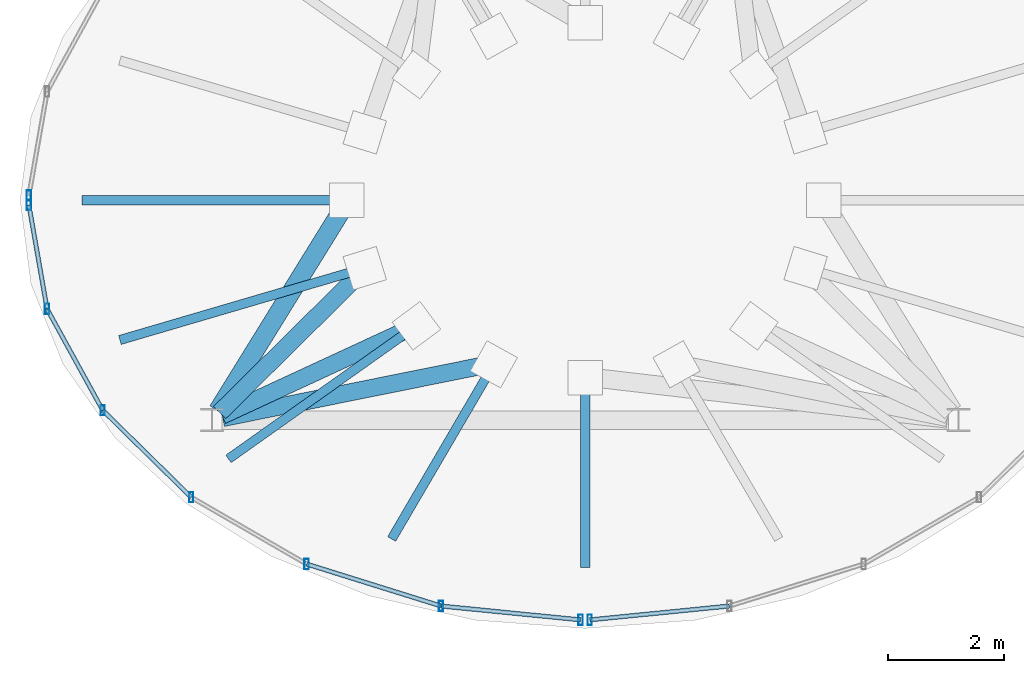
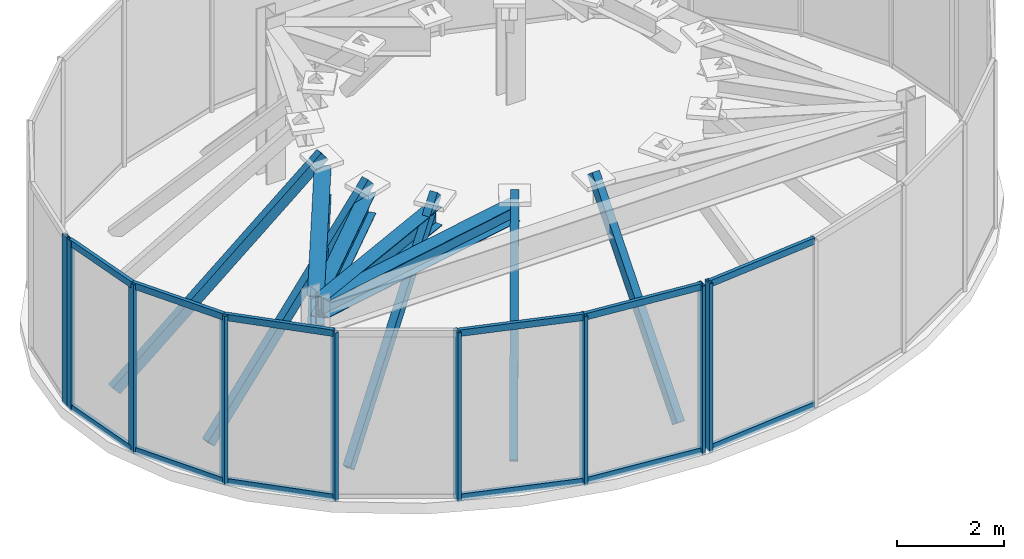
# One storey, part 2 of 8: 26 members, 4 beams, 3 elements without a shape of their own.
"""IFC4 building model written with IfcOpenShell, lengths in metres."""

from ifc_helpers import new_model, si_unit, direction, frame, origin, origin_2d, place, context, subcontext, project, spatial, hollow_rectangle, i_section, extrude, material, material_profile, profile_set, type_object, element, aggregate, save


model = new_model("IFC4")

# Units and contexts
model_context = context("Model", 3, precision=1e-05, world=origin(), true_north=direction((0.0, 1.0)))
body_context = subcontext(model_context, "Body", "Model", "MODEL_VIEW")
ifc_project = project(units=[si_unit("LENGTHUNIT", "METRE"), si_unit("AREAUNIT", "SQUARE_METRE"), si_unit("VOLUMEUNIT", "CUBIC_METRE"), si_unit("PLANEANGLEUNIT", "RADIAN"), si_unit("MASSUNIT", "GRAM", prefix="KILO")], contexts=[model_context])

# Site, building, storey
site_placement = place(None, origin())
site = spatial("IfcSite", under=ifc_project, at=site_placement, CompositionType="ELEMENT")
building_placement = place(site_placement, origin())
building = spatial("IfcBuilding", under=site, at=building_placement, Name="Vorneva Point Tower", CompositionType="ELEMENT")
storey_placement = place(building_placement, frame((0.0, 0.0, 310.60009765625)))
storey = spatial("IfcBuildingStorey", under=building, at=storey_placement, Name="C05", CompositionType="ELEMENT", Elevation=310.60009765625)

# Beams
ifc_material_1 = material(Name="Steel S355", Category="steel")
ifc_material_profile_1 = material_profile(ifc_material_1, i_section(OverallWidth=0.299072265625, OverallDepth=0.383056640625, WebThickness=0.009521484375, FlangeThickness=0.012451171875, at=origin_2d()), Name="40Sh1")
ifc_profile_set_1 = profile_set([ifc_material_profile_1], Name="Steel S355")
beam_type_1 = type_object("IfcBeamType", Name="BM-GRD-40Sh1", PredefinedType="USERDEFINED", material=ifc_profile_set_1)
beam_1_placement = place(storey_placement, frame((36.430908203125, 23.18212890625, 3.3583984375), z_axis=(-0.980352553423, -0.197253316823, 0.0), x_axis=(0.197253316823, -0.980352553423, 0.0)))
element("IfcBeam", 1, at=beam_1_placement, inside=storey, type_object=beam_type_1, Name="C05 Radial Primary Girder 12", ObjectType="GIRDER", PredefinedType="USERDEFINED", context=body_context, shape_type="SweptSolid", body=[
    extrude(i_section(OverallWidth=0.299072265625, OverallDepth=0.383056640625, WebThickness=0.009521484375, FlangeThickness=0.012451171875, at=origin_2d()), origin(), (0.0, 0.0, 1.0), 4.78857421875),
])
ifc_material_profile_2 = material_profile(ifc_material_1, i_section(OverallWidth=0.299072265625, OverallDepth=0.43505859375, WebThickness=0.010498046875, FlangeThickness=0.014892578125, at=origin_2d()), Name="45Sh1")
ifc_profile_set_2 = profile_set([ifc_material_profile_2], Name="Steel S355")
beam_type_2 = type_object("IfcBeamType", Name="BM-GRD-45Sh1", PredefinedType="USERDEFINED", material=ifc_profile_set_2)
beam_2_placement = place(storey_placement, frame((35.100830078125, 23.84326171875, 3.33251953125), z_axis=(-0.907528942117, -0.419989546561, 0.0), x_axis=(0.419989546561, -0.907528942117, 0.0)))
element("IfcBeam", 2, at=beam_2_placement, inside=storey, type_object=beam_type_2, Name="C05 Radial Primary Girder 11", ObjectType="GIRDER", PredefinedType="USERDEFINED", context=body_context, shape_type="SweptSolid", body=[
    extrude(i_section(OverallWidth=0.299072265625, OverallDepth=0.43505859375, WebThickness=0.010498046875, FlangeThickness=0.014892578125, at=origin_2d()), origin(), (0.0, 0.0, 1.0), 3.72265625),
])
ifc_material_profile_3 = material_profile(ifc_material_1, i_section(OverallWidth=0.300048828125, OverallDepth=0.48193359375, WebThickness=0.010986328125, FlangeThickness=0.014892578125, at=origin_2d()), Name="50Sh1")
ifc_profile_set_3 = profile_set([ifc_material_profile_3], Name="Steel S355")
beam_type_3 = type_object("IfcBeamType", Name="BM-GRD-50Sh1", PredefinedType="USERDEFINED", material=ifc_profile_set_3)
beam_3_placement = place(storey_placement, frame((34.212158203125, 24.832763671875, 3.308837890625), z_axis=(-0.711011277246, -0.703180605271, 0.0), x_axis=(0.703180605271, -0.711011277246, 0.0)))
element("IfcBeam", 3, at=beam_3_placement, inside=storey, type_object=beam_type_3, Name="C05 Radial Primary Girder 10", ObjectType="GIRDER", PredefinedType="USERDEFINED", context=body_context, shape_type="SweptSolid", body=[
    extrude(i_section(OverallWidth=0.300048828125, OverallDepth=0.48193359375, WebThickness=0.010986328125, FlangeThickness=0.014892578125, at=origin_2d()), origin(), (0.0, 0.0, 1.0), 3.55419921875),
])
ifc_material_profile_4 = material_profile(ifc_material_1, i_section(OverallWidth=0.320068359375, OverallDepth=0.68310546875, WebThickness=0.012939453125, FlangeThickness=0.01904296875, at=origin_2d()), Name="70Sh1")
ifc_profile_set_4 = profile_set([ifc_material_profile_4], Name="Steel S355")
beam_type_4 = type_object("IfcBeamType", Name="BM-GRD-70Sh1", PredefinedType="USERDEFINED", material=ifc_profile_set_4)
beam_4_placement = place(storey_placement, frame((33.89990234375, 26.0, 3.20849609375), z_axis=(-0.525955722671, -0.850511950409, 0.0), x_axis=(0.850511950409, -0.525955722671, 0.0)))
element("IfcBeam", 4, at=beam_4_placement, inside=storey, type_object=beam_type_4, Name="C05 Radial Primary Girder 09", ObjectType="GIRDER", PredefinedType="USERDEFINED", context=body_context, shape_type="SweptSolid", body=[
    extrude(i_section(OverallWidth=0.320068359375, OverallDepth=0.68310546875, WebThickness=0.012939453125, FlangeThickness=0.01904296875, at=origin_2d()), origin(), (0.0, 0.0, 1.0), 4.27783203125),
])

# Curtain wall, member
ifc_material_2 = material(Name="Pale anodised aluminium", Category="aluminium")
curtain_wall_type = type_object("IfcCurtainWallType", Name="CW-CRN-SYS", PredefinedType="NOTDEFINED", material=ifc_material_2)
curtain_wall_1_placement = place(storey_placement, origin())
curtain_wall_1 = element("IfcCurtainWall", 5, at=curtain_wall_1_placement, inside=storey, type_object=curtain_wall_type, Name="C05 Unitised Curtain Wall CW-C05-Q2", PredefinedType="NOTDEFINED")
ifc_material_profile_5 = material_profile(ifc_material_2, hollow_rectangle(XDim=0.074951171875, YDim=0.179931640625, WallThickness=0.00390625, at=origin_2d()), Name="AL-MUL 180x75x4")
ifc_profile_set_5 = profile_set([ifc_material_profile_5], Name="Pale anodised aluminium")
member_type_1 = type_object("IfcMemberType", Name="CW-MUL-180", PredefinedType="MULLION", material=ifc_profile_set_5)
member_1_placement = place(storey_placement, frame((28.3857421875, 26.078857421875, -0.0400390625), z_axis=(0.0, 0.0, 1.0), x_axis=(1.0, 0.0, 0.0)))
member_1 = element("IfcMember", 6, at=member_1_placement, type_object=member_type_1, Name="CW-C05-Q2 Mullion 07", PredefinedType="MULLION", context=body_context, shape_type="SweptSolid", body=[
    extrude(hollow_rectangle(XDim=0.074951171875, YDim=0.179931640625, WallThickness=0.00390625, at=origin_2d()), origin(), (0.0, 0.0, 1.0), 3.869873046875),
])
aggregate(curtain_wall_1, [member_1])

# Curtain wall, members
curtain_wall_2_placement = place(storey_placement, origin())
curtain_wall_2 = element("IfcCurtainWall", 7, at=curtain_wall_2_placement, inside=storey, type_object=curtain_wall_type, Name="C05 Unitised Curtain Wall CW-C05-Q3", PredefinedType="NOTDEFINED")
member_2_placement = place(storey_placement, frame((28.3857421875, 25.921142578125, -0.0400390625), z_axis=(0.0, 0.0, 1.0), x_axis=(1.0, 0.0, 0.0)))
member_2 = element("IfcMember", 8, at=member_2_placement, type_object=member_type_1, Name="CW-C05-Q3 Mullion 01", PredefinedType="MULLION", context=body_context, shape_type="SweptSolid", body=[
    extrude(hollow_rectangle(XDim=0.074951171875, YDim=0.179931640625, WallThickness=0.00390625, at=origin_2d()), origin(), (0.0, 0.0, 1.0), 3.869873046875),
])
member_3_placement = place(storey_placement, frame((28.7001953125, 24.12109375, -0.0400390625), z_axis=(0.0, 0.0, 1.0), x_axis=(1.0, 0.0, 0.0)))
member_3 = element("IfcMember", 9, at=member_3_placement, type_object=member_type_1, Name="CW-C05-Q3 Mullion 02", PredefinedType="MULLION", context=body_context, shape_type="SweptSolid", body=[
    extrude(hollow_rectangle(XDim=0.074951171875, YDim=0.179931640625, WallThickness=0.00390625, at=origin_2d()), origin(), (0.0, 0.0, 1.0), 3.869873046875),
])
member_4_placement = place(storey_placement, frame((29.661865234375, 22.3701171875, -0.0400390625), z_axis=(0.0, 0.0, 1.0), x_axis=(1.0, 0.0, 0.0)))
member_4 = element("IfcMember", 10, at=member_4_placement, type_object=member_type_1, Name="CW-C05-Q3 Mullion 03", PredefinedType="MULLION", context=body_context, shape_type="SweptSolid", body=[
    extrude(hollow_rectangle(XDim=0.074951171875, YDim=0.179931640625, WallThickness=0.00390625, at=origin_2d()), origin(), (0.0, 0.0, 1.0), 3.869873046875),
])
member_5_placement = place(storey_placement, frame((31.19189453125, 20.866455078125, -0.0400390625), z_axis=(0.0, 0.0, 1.0), x_axis=(1.0, 0.0, 0.0)))
member_5 = element("IfcMember", 11, at=member_5_placement, type_object=member_type_1, Name="CW-C05-Q3 Mullion 04", PredefinedType="MULLION", context=body_context, shape_type="SweptSolid", body=[
    extrude(hollow_rectangle(XDim=0.074951171875, YDim=0.179931640625, WallThickness=0.00390625, at=origin_2d()), origin(), (0.0, 0.0, 1.0), 3.869873046875),
])
member_6_placement = place(storey_placement, frame((33.18603515625, 19.712646484375, -0.0400390625), z_axis=(0.0, 0.0, 1.0), x_axis=(1.0, 0.0, 0.0)))
member_6 = element("IfcMember", 12, at=member_6_placement, type_object=member_type_1, Name="CW-C05-Q3 Mullion 05", PredefinedType="MULLION", context=body_context, shape_type="SweptSolid", body=[
    extrude(hollow_rectangle(XDim=0.074951171875, YDim=0.179931640625, WallThickness=0.00390625, at=origin_2d()), origin(), (0.0, 0.0, 1.0), 3.869873046875),
])
member_7_placement = place(storey_placement, frame((35.508056640625, 18.9873046875, -0.0400390625), z_axis=(0.0, 0.0, 1.0), x_axis=(1.0, 0.0, 0.0)))
member_7 = element("IfcMember", 13, at=member_7_placement, type_object=member_type_1, Name="CW-C05-Q3 Mullion 06", PredefinedType="MULLION", context=body_context, shape_type="SweptSolid", body=[
    extrude(hollow_rectangle(XDim=0.074951171875, YDim=0.179931640625, WallThickness=0.00390625, at=origin_2d()), origin(), (0.0, 0.0, 1.0), 3.869873046875),
])
member_8_placement = place(storey_placement, frame((37.92041015625, 18.747802734375, -0.0400390625), z_axis=(0.0, 0.0, 1.0), x_axis=(1.0, 0.0, 0.0)))
member_8 = element("IfcMember", 14, at=member_8_placement, type_object=member_type_1, Name="CW-C05-Q3 Mullion 07", PredefinedType="MULLION", context=body_context, shape_type="SweptSolid", body=[
    extrude(hollow_rectangle(XDim=0.074951171875, YDim=0.179931640625, WallThickness=0.00390625, at=origin_2d()), origin(), (0.0, 0.0, 1.0), 3.869873046875),
])

# Curtain wall, member
curtain_wall_3_placement = place(storey_placement, origin())
curtain_wall_3 = element("IfcCurtainWall", 15, at=curtain_wall_3_placement, inside=storey, type_object=curtain_wall_type, Name="C05 Unitised Curtain Wall CW-C05-Q4", PredefinedType="NOTDEFINED")
member_9_placement = place(storey_placement, frame((38.07958984375, 18.747802734375, -0.0400390625), z_axis=(0.0, 0.0, 1.0), x_axis=(1.0, 0.0, 0.0)))
member_9 = element("IfcMember", 16, at=member_9_placement, type_object=member_type_1, Name="CW-C05-Q4 Mullion 01", PredefinedType="MULLION", context=body_context, shape_type="SweptSolid", body=[
    extrude(hollow_rectangle(XDim=0.074951171875, YDim=0.179931640625, WallThickness=0.00390625, at=origin_2d()), origin(), (0.0, 0.0, 1.0), 3.869873046875),
])

# Member
ifc_material_profile_6 = material_profile(ifc_material_2, hollow_rectangle(XDim=0.074951171875, YDim=0.14990234375, WallThickness=0.00390625, at=origin_2d()), Name="AL-TRN 150x75x4")
ifc_profile_set_6 = profile_set([ifc_material_profile_6], Name="Pale anodised aluminium")
member_type_2 = type_object("IfcMemberType", Name="CW-TRN-150", PredefinedType="USERDEFINED", material=ifc_profile_set_6)
member_10_placement = place(storey_placement, frame((28.3857421875, 25.921142578125, 0.02001953125), z_axis=(0.172085400856, -0.98508203456, 0.0), x_axis=(0.98508203456, 0.172085400856, 0.0)))
member_10 = element("IfcMember", 17, at=member_10_placement, type_object=member_type_2, Name="CW-C05-Q3 Transom 01.1", ObjectType="TRANSOM", PredefinedType="USERDEFINED", context=body_context, shape_type="SweptSolid", body=[
    extrude(hollow_rectangle(XDim=0.074951171875, YDim=0.14990234375, WallThickness=0.00390625, at=origin_2d()), origin(), (0.0, 0.0, 1.0), 1.827392578125),
])

member_11_placement = place(storey_placement, frame((28.3857421875, 25.921142578125, 3.77978515625), z_axis=(0.172085400856, -0.98508203456, 0.0), x_axis=(0.98508203456, 0.172085400856, 0.0)))
member_11 = element("IfcMember", 18, at=member_11_placement, type_object=member_type_2, Name="CW-C05-Q3 Transom 01.2", ObjectType="TRANSOM", PredefinedType="USERDEFINED", context=body_context, shape_type="SweptSolid", body=[
    extrude(hollow_rectangle(XDim=0.074951171875, YDim=0.14990234375, WallThickness=0.00390625, at=origin_2d()), origin(), (0.0, 0.0, 1.0), 1.827392578125),
])

member_12_placement = place(storey_placement, frame((28.7001953125, 24.12109375, 0.02001953125), z_axis=(0.481393221726, -0.876504743899, 0.0), x_axis=(0.876504743899, 0.481393221726, 0.0)))
member_12 = element("IfcMember", 19, at=member_12_placement, type_object=member_type_2, Name="CW-C05-Q3 Transom 02.1", ObjectType="TRANSOM", PredefinedType="USERDEFINED", context=body_context, shape_type="SweptSolid", body=[
    extrude(hollow_rectangle(XDim=0.074951171875, YDim=0.14990234375, WallThickness=0.00390625, at=origin_2d()), origin(), (0.0, 0.0, 1.0), 1.99755859375),
])

member_13_placement = place(storey_placement, frame((28.7001953125, 24.12109375, 3.77978515625), z_axis=(0.481393221726, -0.876504743899, 0.0), x_axis=(0.876504743899, 0.481393221726, 0.0)))
member_13 = element("IfcMember", 20, at=member_13_placement, type_object=member_type_2, Name="CW-C05-Q3 Transom 02.2", ObjectType="TRANSOM", PredefinedType="USERDEFINED", context=body_context, shape_type="SweptSolid", body=[
    extrude(hollow_rectangle(XDim=0.074951171875, YDim=0.14990234375, WallThickness=0.00390625, at=origin_2d()), origin(), (0.0, 0.0, 1.0), 1.99755859375),
])

member_14_placement = place(storey_placement, frame((29.661865234375, 22.3701171875, 0.02001953125), z_axis=(0.713225628318, -0.700934521272, 0.0), x_axis=(0.700934521272, 0.713225628318, 0.0)))
member_14 = element("IfcMember", 21, at=member_14_placement, type_object=member_type_2, Name="CW-C05-Q3 Transom 03.1", ObjectType="TRANSOM", PredefinedType="USERDEFINED", context=body_context, shape_type="SweptSolid", body=[
    extrude(hollow_rectangle(XDim=0.074951171875, YDim=0.14990234375, WallThickness=0.00390625, at=origin_2d()), origin(), (0.0, 0.0, 1.0), 2.145263671875),
])

member_15_placement = place(storey_placement, frame((29.661865234375, 22.3701171875, 3.77978515625), z_axis=(0.713225628318, -0.700934521272, 0.0), x_axis=(0.700934521272, 0.713225628318, 0.0)))
member_15 = element("IfcMember", 22, at=member_15_placement, type_object=member_type_2, Name="CW-C05-Q3 Transom 03.2", ObjectType="TRANSOM", PredefinedType="USERDEFINED", context=body_context, shape_type="SweptSolid", body=[
    extrude(hollow_rectangle(XDim=0.074951171875, YDim=0.14990234375, WallThickness=0.00390625, at=origin_2d()), origin(), (0.0, 0.0, 1.0), 2.145263671875),
])

member_16_placement = place(storey_placement, frame((33.18603515625, 19.712646484375, 0.02001953125), z_axis=(0.95451390104, -0.298166417831, 0.0), x_axis=(0.298166417831, 0.95451390104, 0.0)))
member_16 = element("IfcMember", 23, at=member_16_placement, type_object=member_type_2, Name="CW-C05-Q3 Transom 05.1", ObjectType="TRANSOM", PredefinedType="USERDEFINED", context=body_context, shape_type="SweptSolid", body=[
    extrude(hollow_rectangle(XDim=0.074951171875, YDim=0.14990234375, WallThickness=0.00390625, at=origin_2d()), origin(), (0.0, 0.0, 1.0), 2.4326171875),
])

member_17_placement = place(storey_placement, frame((33.18603515625, 19.712646484375, 3.77978515625), z_axis=(0.95451390104, -0.298166417831, 0.0), x_axis=(0.298166417831, 0.95451390104, 0.0)))
member_17 = element("IfcMember", 24, at=member_17_placement, type_object=member_type_2, Name="CW-C05-Q3 Transom 05.2", ObjectType="TRANSOM", PredefinedType="USERDEFINED", context=body_context, shape_type="SweptSolid", body=[
    extrude(hollow_rectangle(XDim=0.074951171875, YDim=0.14990234375, WallThickness=0.00390625, at=origin_2d()), origin(), (0.0, 0.0, 1.0), 2.4326171875),
])

member_18_placement = place(storey_placement, frame((35.508056640625, 18.9873046875, 0.02001953125), z_axis=(0.995107733945, -0.098795737982, 0.0), x_axis=(0.098795737982, 0.995107733945, 0.0)))
member_18 = element("IfcMember", 25, at=member_18_placement, type_object=member_type_2, Name="CW-C05-Q3 Transom 06.1", ObjectType="TRANSOM", PredefinedType="USERDEFINED", context=body_context, shape_type="SweptSolid", body=[
    extrude(hollow_rectangle(XDim=0.074951171875, YDim=0.14990234375, WallThickness=0.00390625, at=origin_2d()), origin(), (0.0, 0.0, 1.0), 2.42431640625),
])

member_19_placement = place(storey_placement, frame((35.508056640625, 18.9873046875, 3.77978515625), z_axis=(0.995107733945, -0.098795737982, 0.0), x_axis=(0.098795737982, 0.995107733945, 0.0)))
member_19 = element("IfcMember", 26, at=member_19_placement, type_object=member_type_2, Name="CW-C05-Q3 Transom 06.2", ObjectType="TRANSOM", PredefinedType="USERDEFINED", context=body_context, shape_type="SweptSolid", body=[
    extrude(hollow_rectangle(XDim=0.074951171875, YDim=0.14990234375, WallThickness=0.00390625, at=origin_2d()), origin(), (0.0, 0.0, 1.0), 2.42431640625),
])

aggregate(curtain_wall_2, [member_2, member_3, member_4, member_5, member_6, member_7, member_8, member_10, member_11, member_12, member_13, member_14, member_15, member_16, member_17, member_18, member_19])

member_20_placement = place(storey_placement, frame((38.07958984375, 18.747802734375, 0.02001953125), z_axis=(0.995107733945, 0.098795737982, 0.0), x_axis=(-0.098795737982, 0.995107733945, 0.0)))
member_20 = element("IfcMember", 27, at=member_20_placement, type_object=member_type_2, Name="CW-C05-Q4 Transom 01.1", ObjectType="TRANSOM", PredefinedType="USERDEFINED", context=body_context, shape_type="SweptSolid", body=[
    extrude(hollow_rectangle(XDim=0.074951171875, YDim=0.14990234375, WallThickness=0.00390625, at=origin_2d()), origin(), (0.0, 0.0, 1.0), 2.42431640625),
])

member_21_placement = place(storey_placement, frame((38.07958984375, 18.747802734375, 3.77978515625), z_axis=(0.995107733945, 0.098795737982, 0.0), x_axis=(-0.098795737982, 0.995107733945, 0.0)))
member_21 = element("IfcMember", 28, at=member_21_placement, type_object=member_type_2, Name="CW-C05-Q4 Transom 01.2", ObjectType="TRANSOM", PredefinedType="USERDEFINED", context=body_context, shape_type="SweptSolid", body=[
    extrude(hollow_rectangle(XDim=0.074951171875, YDim=0.14990234375, WallThickness=0.00390625, at=origin_2d()), origin(), (0.0, 0.0, 1.0), 2.42431640625),
])

aggregate(curtain_wall_3, [member_9, member_20, member_21])

# Members
ifc_material_profile_7 = material_profile(ifc_material_1, hollow_rectangle(XDim=0.159912109375, YDim=0.25, WallThickness=0.010009765625, at=origin_2d()), Name="PP 250x160x10")
ifc_profile_set_7 = profile_set([ifc_material_profile_7], Name="Steel S355")
member_type_3 = type_object("IfcMemberType", Name="MBR-CRN-PP250", PredefinedType="CHORD", material=ifc_profile_set_7)
member_22_placement = place(storey_placement, frame((29.382080078125, 26.0, 0.0), z_axis=(0.765301430526, 0.0, 0.643672059698), x_axis=(0.0, 1.0, 0.0)))
element("IfcMember", 29, at=member_22_placement, inside=storey, type_object=member_type_3, Name="Crown Tapered Frame Rib C05-09", PredefinedType="CHORD", context=body_context, shape_type="SweptSolid", body=[
    extrude(hollow_rectangle(XDim=0.159912109375, YDim=0.25, WallThickness=0.010009765625, at=origin_2d()), origin(), (0.0, 0.0, 1.0), 5.9033203125),
])
member_23_placement = place(storey_placement, frame((30.0380859375, 23.608154296875, 0.0), z_axis=(0.722669994686, 0.212020395002, 0.657871895496), x_axis=(-0.281519043956, 0.959555640852, 0.0)))
element("IfcMember", 30, at=member_23_placement, inside=storey, type_object=member_type_3, Name="Crown Tapered Frame Rib C05-10", PredefinedType="CHORD", context=body_context, shape_type="SweptSolid", body=[
    extrude(hollow_rectangle(XDim=0.159912109375, YDim=0.25, WallThickness=0.010009765625, at=origin_2d()), origin(), (0.0, 0.0, 1.0), 5.77587890625),
])
member_24_placement = place(storey_placement, frame((31.90625, 21.58056640625, 0.0), z_axis=(0.585559055977, 0.414746758181, 0.696495311213), x_axis=(-0.577994846056, 0.816040414399, 0.0)))
element("IfcMember", 31, at=member_24_placement, inside=storey, type_object=member_type_3, Name="Crown Tapered Frame Rib C05-11", PredefinedType="CHORD", context=body_context, shape_type="SweptSolid", body=[
    extrude(hollow_rectangle(XDim=0.159912109375, YDim=0.25, WallThickness=0.010009765625, at=origin_2d()), origin(), (0.0, 0.0, 1.0), 5.45556640625),
])
member_25_placement = place(storey_placement, frame((34.701904296875, 20.225830078125, 0.0), z_axis=(0.33799744938, 0.577917412389, 0.742811677796), x_axis=(-0.863206946257, 0.504850243075, 0.0)))
element("IfcMember", 32, at=member_25_placement, inside=storey, type_object=member_type_3, Name="Crown Tapered Frame Rib C05-12", PredefinedType="CHORD", context=body_context, shape_type="SweptSolid", body=[
    extrude(hollow_rectangle(XDim=0.159912109375, YDim=0.25, WallThickness=0.010009765625, at=origin_2d()), origin(), (0.0, 0.0, 1.0), 5.115478515625),
])
member_26_placement = place(storey_placement, frame((38.0, 19.75, 0.0), z_axis=(0.0, 0.644149366218, 0.76489972807), x_axis=(-1.0, 0.0, 0.0)))
element("IfcMember", 33, at=member_26_placement, inside=storey, type_object=member_type_3, Name="Crown Tapered Frame Rib C05-13", PredefinedType="CHORD", context=body_context, shape_type="SweptSolid", body=[
    extrude(hollow_rectangle(XDim=0.159912109375, YDim=0.25, WallThickness=0.010009765625, at=origin_2d()), origin(), (0.0, 0.0, 1.0), 4.9677734375),
])

save(model, "model.ifc")
